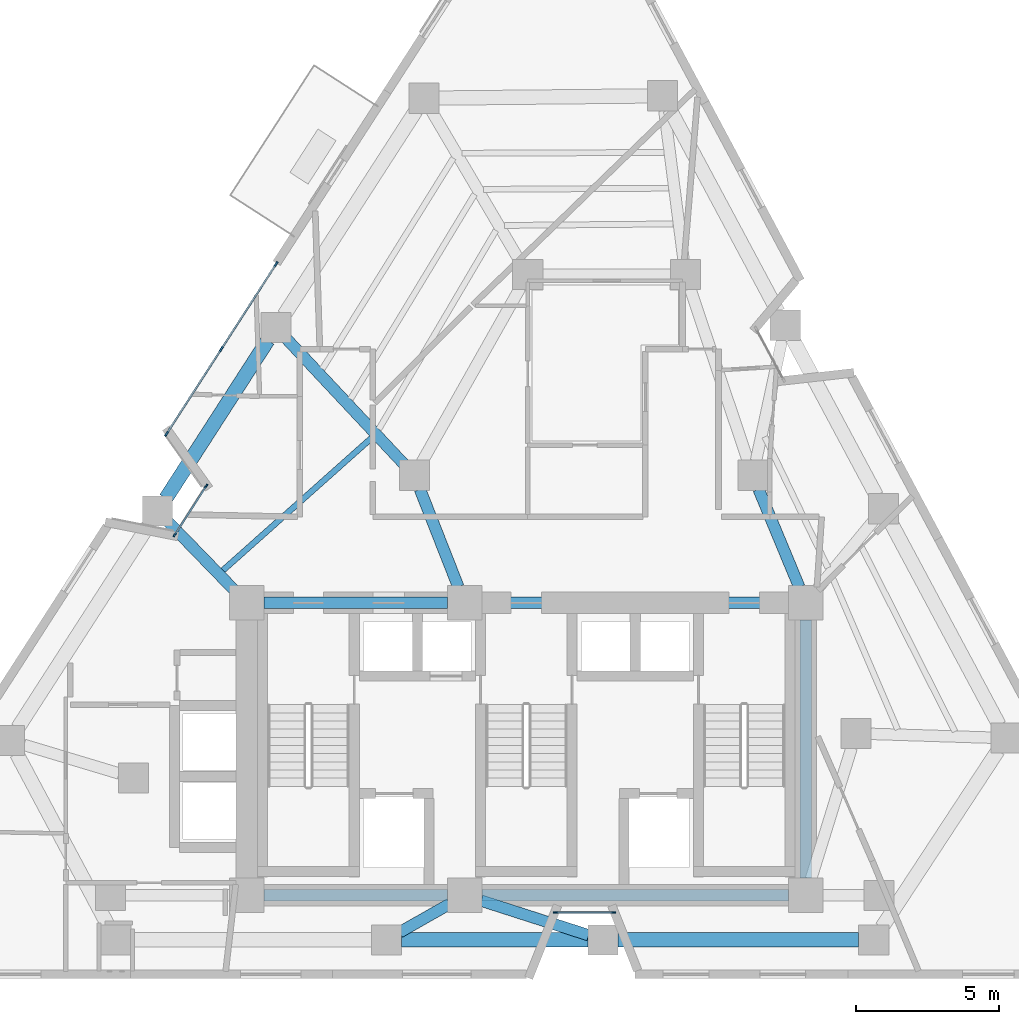
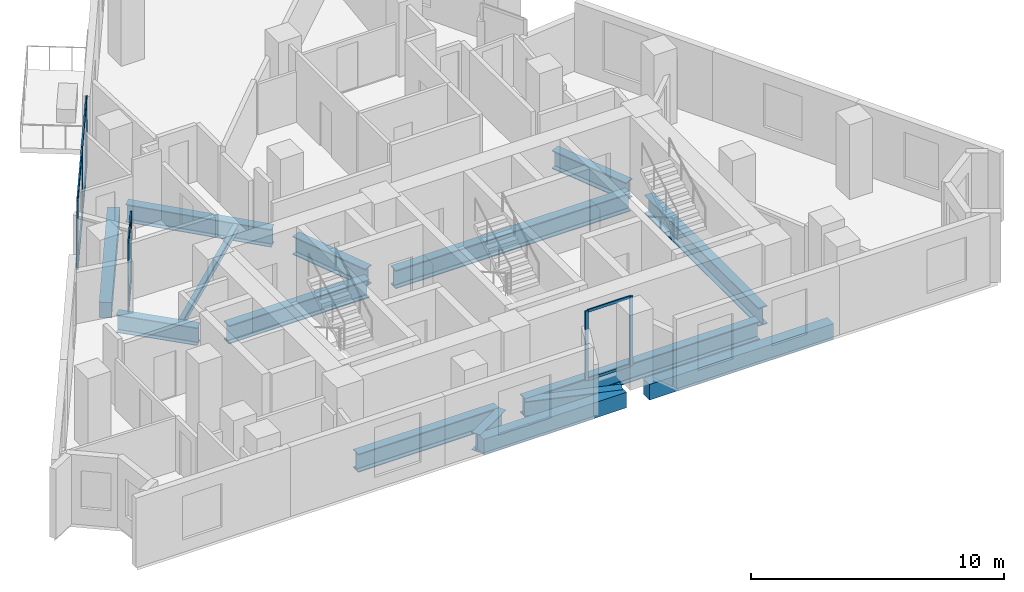
# One storey, part 2 of 10: 15 beams, 15 members, 3 elements without a shape of their own.
"""IFC4 building model written with IfcOpenShell, lengths in metres."""

import ifcopenshell
import ifcopenshell.guid

model = None  # the IFC model being written
_history = None  # IfcOwnerHistory: only IFC2X3 demands one
_inside = {}  # id of a spatial element -> (the spatial element, [elements in it])
_under = {}  # id of a project, library or spatial element -> (it, [spatial elements below it])
_declared = {}  # id of a project -> (the project, [libraries it declares])
_typed = {}  # id of a type object -> (the type object, [elements of that type])
_made_of = {}  # id of a material, layer set ... -> (it, [elements and type objects made of it])


def new_model(schema):
    """Start an empty IFC model of exactly this schema.

    Asked for "IFC4X3", IfcOpenShell would pick the latest addendum, in which some entities
    have other attributes; the version numbers below select the first issue.
    IFC2X3 requires an IfcOwnerHistory on every rooted entity: one is made here for all.
    """
    global model, _history
    if schema == "IFC4X3":
        model = ifcopenshell.file(schema_version=(4, 3, 0, 0))
    else:
        model = ifcopenshell.file(schema=schema)
    _inside.clear()
    _under.clear()
    _declared.clear()
    _typed.clear()
    _made_of.clear()
    _history = None
    if model.schema == "IFC2X3":
        org = make("IfcOrganization", Name="unknown")
        user = make(
            "IfcPersonAndOrganization",
            ThePerson=make("IfcPerson", FamilyName="unknown"),
            TheOrganization=org,
        )
        app = make(
            "IfcApplication",
            ApplicationDeveloper=org,
            Version="unknown",
            ApplicationFullName="unknown",
            ApplicationIdentifier="unknown",
        )
        _history = make(
            "IfcOwnerHistory",
            OwningUser=user,
            OwningApplication=app,
            ChangeAction="ADDED",
            CreationDate=0,
        )
    return model


def make(cls, **values):
    """One entity of the class cls with the attributes given. An attribute that is None is left unset."""
    return model.create_entity(
        cls, **{name: value for name, value in values.items() if value is not None}
    )


def rooted(cls, **values):
    """An entity with a GlobalId (a new one), such as an element, a storey or a relation."""
    return make(cls, GlobalId=ifcopenshell.guid.new(), OwnerHistory=_history, **values)


def si_unit(unit_type, name, prefix=None):
    """IfcSIUnit, for example si_unit("LENGTHUNIT", "METRE", prefix="MILLI")."""
    return make("IfcSIUnit", UnitType=unit_type, Prefix=prefix, Name=name)


def assignment(units):
    """IfcUnitAssignment: the units of a project."""
    return None if units is None else make("IfcUnitAssignment", Units=units)


def point(xyz):
    """IfcCartesianPoint."""
    return None if xyz is None else make("IfcCartesianPoint", Coordinates=xyz)


def direction(xyz):
    """IfcDirection."""
    return None if xyz is None else make("IfcDirection", DirectionRatios=xyz)


def frame(location, z_axis=None, x_axis=None):
    """IfcAxis2Placement3D, a coordinate frame: its origin and axes. An axis left out is left unset."""
    return make(
        "IfcAxis2Placement3D",
        Location=point(location),
        Axis=direction(z_axis),
        RefDirection=direction(x_axis),
    )


def frame_2d(location, x_axis=None):
    """IfcAxis2Placement2D, a coordinate frame in the plane: its origin and x axis."""
    return make(
        "IfcAxis2Placement2D", Location=point(location), RefDirection=direction(x_axis)
    )


def origin():
    """The frame at (0, 0, 0) with its axes left unset."""
    return frame((0.0, 0.0, 0.0))


def origin_2d():
    """The frame at (0, 0) in the plane with its x axis left unset."""
    return frame_2d((0.0, 0.0))


def place(relative_to, where):
    """IfcLocalPlacement: puts the frame where relative to a parent placement (None: the world)."""
    return make(
        "IfcLocalPlacement", PlacementRelTo=relative_to, RelativePlacement=where
    )


def context(
    kind, dimensions, precision=None, world=None, true_north=None, identifier=None
):
    """IfcGeometricRepresentationContext, for example the 3D "Model" context."""
    return make(
        "IfcGeometricRepresentationContext",
        ContextIdentifier=identifier,
        ContextType=kind,
        CoordinateSpaceDimension=dimensions,
        Precision=precision,
        WorldCoordinateSystem=world,
        TrueNorth=true_north,
    )


def subcontext(parent, identifier, kind, view, scale=None):
    """IfcGeometricRepresentationSubContext, for example "Body" below "Model"."""
    return make(
        "IfcGeometricRepresentationSubContext",
        ContextIdentifier=identifier,
        ContextType=kind,
        ParentContext=parent,
        TargetScale=scale,
        TargetView=view,
    )


def project(units=None, contexts=None):
    """IfcProject with its units and contexts."""
    return rooted(
        "IfcProject",
        Name="project",
        RepresentationContexts=contexts,
        UnitsInContext=assignment(units),
    )


def spatial(cls, under=None, at=None, **own):
    """A site, building, storey or space (cls), placed at a placement, below another one or the project."""
    s = rooted(cls, ObjectPlacement=at, **own)
    if under is not None:
        _under.setdefault(under.id(), (under, []))[1].append(s)
    return s


def profile(cls, at=None, kind="AREA", **sizes):
    """A parametric profile (cls). Its sizes go by their IFC names, for example OverallWidth=200.0."""
    return make(cls, ProfileType=kind, Position=at, **sizes)


def rectangle(**sizes):
    """IfcRectangleProfileDef."""
    return profile("IfcRectangleProfileDef", **sizes)


def i_section(**sizes):
    """IfcIShapeProfileDef."""
    return profile("IfcIShapeProfileDef", **sizes)


def extrude(swept, where, along, depth):
    """IfcExtrudedAreaSolid: the profile swept, set in the frame where, extruded along a direction by depth."""
    return make(
        "IfcExtrudedAreaSolid",
        SweptArea=swept,
        Position=where,
        ExtrudedDirection=direction(along),
        Depth=depth,
    )


def shape(context_of_items, identifier, shape_type, items):
    """IfcShapeRepresentation: the items that make up one representation, for example the "Body"."""
    return make(
        "IfcShapeRepresentation",
        ContextOfItems=context_of_items,
        RepresentationIdentifier=identifier,
        RepresentationType=shape_type,
        Items=items,
    )


def material(Name=None, Category=None):
    """IfcMaterial."""
    return make("IfcMaterial", Name=Name, Category=Category)


def layer(
    of_material, thickness, ventilated=None, Name=None, Category=None, Priority=None
):
    """IfcMaterialLayer: one layer of a wall or slab, of a material (None: an air gap)."""
    return make(
        "IfcMaterialLayer",
        Material=of_material,
        LayerThickness=thickness,
        IsVentilated=ventilated,
        Name=Name,
        Category=Category,
        Priority=Priority,
    )


def layer_set(layers, Name=None):
    """IfcMaterialLayerSet."""
    return make("IfcMaterialLayerSet", MaterialLayers=layers, LayerSetName=Name)


def material_profile(
    of_material, cross_section, Name=None, Category=None, Priority=None
):
    """IfcMaterialProfile: a cross section and its material."""
    return make(
        "IfcMaterialProfile",
        Name=Name,
        Material=of_material,
        Profile=cross_section,
        Priority=Priority,
        Category=Category,
    )


def profile_set(profiles, Name=None, composite=None):
    """IfcMaterialProfileSet."""
    return make(
        "IfcMaterialProfileSet",
        Name=Name,
        MaterialProfiles=profiles,
        CompositeProfile=composite,
    )


def made_of(thing, what):
    """Note that an element or type object is made of a material, layer set ...; save() writes the relation."""
    if what is not None:
        _made_of.setdefault(what.id(), (what, []))[1].append(thing)
    return thing


def type_object(cls, material=None, **own):
    """A type object (cls), such as IfcWallType, which elements share."""
    return made_of(rooted(cls, **own), material)


def element(
    cls,
    number,
    at=None,
    inside=None,
    cuts=None,
    type_object=None,
    material=None,
    context=None,
    identifier="Body",
    shape_type=None,
    held_by="IfcProductDefinitionShape",
    body=None,
    shapes=None,
    **own,
):
    """One element of the class cls, such as IfcWall. Its Tag is "e" and its number.

    at: its placement. inside: the storey or other place that contains it. cuts: it is an
    opening in that element (IfcRelVoidsElement). A single representation is given by context,
    identifier, shape_type and body (its items); several are given by shapes. held_by: the class
    of the entity that holds the representations. save() writes the other relations.
    """
    e = rooted(cls, Tag="e%d" % number, ObjectPlacement=at, **own)
    if body is not None:
        shapes = [shape(context, identifier, shape_type, body)]
    if shapes is not None:
        e.Representation = make(held_by, Representations=shapes)
    if inside is not None:
        _inside.setdefault(inside.id(), (inside, []))[1].append(e)
    if cuts is not None:
        rooted(
            "IfcRelVoidsElement", RelatingBuildingElement=cuts, RelatedOpeningElement=e
        )
    if type_object is not None:
        _typed.setdefault(type_object.id(), (type_object, []))[1].append(e)
    return made_of(e, material)


def aggregate(whole, parts):
    """IfcRelAggregates: a whole, such as a stair, and the parts it consists of."""
    return rooted("IfcRelAggregates", RelatingObject=whole, RelatedObjects=parts)


def save(model, path):
    """Write the relations noted so far, then the file.

    IfcRelAggregates (storeys below a building ...), IfcRelContainedInSpatialStructure (elements
    in a storey), IfcRelDefinesByType, IfcRelAssociatesMaterial and IfcRelDeclares: one each for
    every whole, place, type object, material and project.
    """
    for whole, parts in _under.values():
        aggregate(whole, parts)
    for where, things in _inside.values():
        rooted(
            "IfcRelContainedInSpatialStructure",
            RelatedElements=things,
            RelatingStructure=where,
        )
    for kind, things in _typed.values():
        rooted("IfcRelDefinesByType", RelatedObjects=things, RelatingType=kind)
    for what, things in _made_of.values():
        rooted("IfcRelAssociatesMaterial", RelatedObjects=things, RelatingMaterial=what)
    for by, libraries in _declared.values():
        rooted("IfcRelDeclares", RelatingContext=by, RelatedDefinitions=libraries)
    model.write(path)


model = new_model("IFC4")

# Units and contexts
model_context = context("Model", 3, precision=1e-05, world=origin(), true_north=direction((0.0, 1.0)))
body_context = subcontext(model_context, "Body", "Model", "MODEL_VIEW")
ifc_project = project(units=[si_unit("LENGTHUNIT", "METRE"), si_unit("AREAUNIT", "SQUARE_METRE"), si_unit("VOLUMEUNIT", "CUBIC_METRE"), si_unit("PLANEANGLEUNIT", "RADIAN"), si_unit("MASSUNIT", "GRAM", prefix="KILO")], contexts=[model_context])

# Site, building, storey
site_placement = place(None, origin())
site = spatial("IfcSite", under=ifc_project, at=site_placement, CompositionType="ELEMENT")
building_placement = place(site_placement, origin())
building = spatial("IfcBuilding", under=site, at=building_placement, Name="Almagre Mirador Tower", CompositionType="ELEMENT")
storey_placement = place(building_placement, frame((0.0, 0.0, 186.0)))
storey = spatial("IfcBuildingStorey", under=building, at=storey_placement, Name="L48", CompositionType="ELEMENT", Elevation=186.0)

# Beams
ifc_material_1 = material(Name="Steel ASTM A992 Grade 50", Category="steel")
ifc_material_profile_1 = material_profile(ifc_material_1, i_section(OverallWidth=0.205078125, OverallDepth=0.31005859375, WebThickness=0.009521484375, FlangeThickness=0.016357421875, FilletRadius=0.013916015625, at=origin_2d()), Name="W12X50")
ifc_profile_set_1 = profile_set([ifc_material_profile_1], Name="Steel ASTM A992 Grade 50")
beam_type_1 = type_object("IfcBeamType", Name="BM-JST-W12X50", PredefinedType="JOIST", material=ifc_profile_set_1)
beam_1_placement = place(storey_placement, frame((31.905517578125, 20.50244140625, -0.405029296875), z_axis=(-0.746774214906, -0.665077643551, 0.0), x_axis=(0.665077643551, -0.746774214906, 0.0)))
element("IfcBeam", 1, at=beam_1_placement, inside=storey, type_object=beam_type_1, Name="L48 secondary floor joist PC10-PC11.3", PredefinedType="JOIST", context=body_context, shape_type="SweptSolid", body=[
    extrude(i_section(OverallWidth=0.205078125, OverallDepth=0.31005859375, WebThickness=0.009521484375, FlangeThickness=0.016357421875, FilletRadius=0.013916015625, at=origin_2d()), origin(), (0.0, 0.0, 1.0), 6.93896484375),
])
ifc_material_2 = material(Name="Precast concrete C50/60", Category="concrete")
ifc_material_profile_2 = material_profile(ifc_material_2, rectangle(XDim=0.5, YDim=0.75, at=origin_2d()), Name="RC500X750")
ifc_profile_set_2 = profile_set([ifc_material_profile_2], Name="Precast concrete C50/60")
beam_type_2 = type_object("IfcBeamType", Name="BM-SPN-RC500X750", PredefinedType="SPANDREL", material=ifc_profile_set_2)
beam_2_placement = place(storey_placement, frame((32.948974609375, 3.0, -0.625), z_axis=(1.0, 0.0, 0.0), x_axis=(0.0, 1.0, 0.0)))
element("IfcBeam", 2, at=beam_2_placement, inside=storey, type_object=beam_type_2, Name="L48 perimeter spandrel beam PC02-PC03", PredefinedType="SPANDREL", context=body_context, shape_type="SweptSolid", body=[
    extrude(rectangle(XDim=0.5, YDim=0.75, at=origin_2d()), origin(), (0.0, 0.0, 1.0), 6.501953125),
])
beam_3_placement = place(storey_placement, frame((40.5009765625, 3.0, -0.625), z_axis=(1.0, 0.0, 0.0), x_axis=(0.0, 1.0, 0.0)))
element("IfcBeam", 3, at=beam_3_placement, inside=storey, type_object=beam_type_2, Name="L48 perimeter spandrel beam PC03-PC04", PredefinedType="SPANDREL", context=body_context, shape_type="SweptSolid", body=[
    extrude(rectangle(XDim=0.5, YDim=0.75, at=origin_2d()), origin(), (0.0, 0.0, 1.0), 8.39013671875),
])
beam_4_placement = place(storey_placement, frame((28.287353515625, 23.90869140625, -0.625), z_axis=(-0.542031160538, -0.840358388431, 0.0), x_axis=(0.840358388431, -0.542031160538, 0.0)))
element("IfcBeam", 4, at=beam_4_placement, inside=storey, type_object=beam_type_2, Name="L48 perimeter spandrel beam PC10-PC11", PredefinedType="SPANDREL", context=body_context, shape_type="SweptSolid", body=[
    extrude(rectangle(XDim=0.5, YDim=0.75, at=origin_2d()), origin(), (0.0, 0.0, 1.0), 6.565673828125),
])
ifc_material_3 = material(Name="Steel ASTM A992 Grade 50", Category="steel")
ifc_material_profile_3 = material_profile(ifc_material_3, i_section(OverallWidth=0.39892578125, OverallDepth=0.85595703125, WebThickness=0.018310546875, FlangeThickness=0.029296875, FilletRadius=0.02490234375, at=origin_2d()), Name="W33X201")
ifc_profile_set_3 = profile_set([ifc_material_profile_3], Name="Steel ASTM A992 Grade 50")
beam_type_3 = type_object("IfcBeamType", Name="BM-STL-W33X201", PredefinedType="BEAM", material=ifc_profile_set_3)
beam_5_placement = place(storey_placement, frame((32.88037109375, 3.259521484375, -0.677978515625), z_axis=(0.869309554044, 0.494268043927, 0.0), x_axis=(-0.494268043927, 0.869309554044, 0.0)))
element("IfcBeam", 5, at=beam_5_placement, inside=storey, type_object=beam_type_3, Name="L48 radial floor girder PC02-CC2", PredefinedType="BEAM", context=body_context, shape_type="SweptSolid", body=[
    extrude(i_section(OverallWidth=0.39892578125, OverallDepth=0.85595703125, WebThickness=0.018310546875, FlangeThickness=0.029296875, FilletRadius=0.02490234375, at=origin_2d()), origin(), (0.0, 0.0, 1.0), 2.0107421875),
])
beam_6_placement = place(storey_placement, frame((39.47607421875, 3.160400390625, -0.677978515625), z_axis=(-0.952092949621, 0.30580878876, 0.0), x_axis=(-0.30580878876, -0.952092949621, 0.0)))
element("IfcBeam", 6, at=beam_6_placement, inside=storey, type_object=beam_type_3, Name="L48 radial floor girder PC03-CC2", PredefinedType="BEAM", context=body_context, shape_type="SweptSolid", body=[
    extrude(i_section(OverallWidth=0.39892578125, OverallDepth=0.85595703125, WebThickness=0.018310546875, FlangeThickness=0.029296875, FilletRadius=0.02490234375, at=origin_2d()), origin(), (0.0, 0.0, 1.0), 3.94384765625),
])
beam_7_placement = place(storey_placement, frame((28.93115234375, 23.967041015625, -0.677978515625), z_axis=(0.683926262896, -0.729551140717, 0.0), x_axis=(0.729551140717, 0.683926262896, 0.0)))
element("IfcBeam", 7, at=beam_7_placement, inside=storey, type_object=beam_type_3, Name="L48 radial floor girder PC10-MC8", PredefinedType="BEAM", context=body_context, shape_type="SweptSolid", body=[
    extrude(i_section(OverallWidth=0.39892578125, OverallDepth=0.85595703125, WebThickness=0.018310546875, FlangeThickness=0.029296875, FilletRadius=0.02490234375, at=origin_2d()), origin(), (0.0, 0.0, 1.0), 6.00927734375),
])
beam_8_placement = place(storey_placement, frame((24.809814453125, 17.5732421875, -0.677978515625), z_axis=(0.69644765499, -0.717607597409, 0.0), x_axis=(0.717607597409, 0.69644765499, 0.0)))
element("IfcBeam", 8, at=beam_8_placement, inside=storey, type_object=beam_type_3, Name="L48 radial floor girder PC11-CC4", PredefinedType="BEAM", context=body_context, shape_type="SweptSolid", body=[
    extrude(i_section(OverallWidth=0.39892578125, OverallDepth=0.85595703125, WebThickness=0.018310546875, FlangeThickness=0.029296875, FilletRadius=0.02490234375, at=origin_2d()), origin(), (0.0, 0.0, 1.0), 3.33447265625),
])
ifc_material_4 = material(Name="Steel ASTM A992 Grade 50", Category="steel")
ifc_material_profile_4 = material_profile(ifc_material_4, i_section(OverallWidth=0.404052734375, OverallDepth=0.884033203125, WebThickness=0.0244140625, FlangeThickness=0.0439453125, FilletRadius=0.02490234375, at=origin_2d()), Name="W33X291")
ifc_profile_set_4 = profile_set([ifc_material_profile_4], Name="Steel ASTM A992 Grade 50")
beam_type_4 = type_object("IfcBeamType", Name="BM-STL-W33X291", PredefinedType="BEAM", material=ifc_profile_set_4)
beam_9_placement = place(storey_placement, frame((28.14990234375, 4.550048828125, -0.69189453125), z_axis=(1.0, 0.0, 0.0), x_axis=(0.0, 1.0, 0.0)))
element("IfcBeam", 9, at=beam_9_placement, inside=storey, type_object=beam_type_4, Name="L48 core tie girder CC1-CC2", PredefinedType="BEAM", context=body_context, shape_type="SweptSolid", body=[
    extrude(i_section(OverallWidth=0.404052734375, OverallDepth=0.884033203125, WebThickness=0.0244140625, FlangeThickness=0.0439453125, FilletRadius=0.02490234375, at=origin_2d()), origin(), (0.0, 0.0, 1.0), 6.400146484375),
])
beam_10_placement = place(storey_placement, frame((35.75, 4.550048828125, -0.69189453125), z_axis=(1.0, 0.0, 0.0), x_axis=(0.0, 1.0, 0.0)))
element("IfcBeam", 10, at=beam_10_placement, inside=storey, type_object=beam_type_4, Name="L48 core tie girder CC2-CC3", PredefinedType="BEAM", context=body_context, shape_type="SweptSolid", body=[
    extrude(i_section(OverallWidth=0.404052734375, OverallDepth=0.884033203125, WebThickness=0.0244140625, FlangeThickness=0.0439453125, FilletRadius=0.02490234375, at=origin_2d()), origin(), (0.0, 0.0, 1.0), 10.699951171875),
])
beam_11_placement = place(storey_placement, frame((28.14990234375, 14.75, -0.69189453125), z_axis=(1.0, 0.0, 0.0), x_axis=(0.0, 1.0, 0.0)))
element("IfcBeam", 11, at=beam_11_placement, inside=storey, type_object=beam_type_4, Name="L48 core tie girder CC4-CC5", PredefinedType="BEAM", context=body_context, shape_type="SweptSolid", body=[
    extrude(i_section(OverallWidth=0.404052734375, OverallDepth=0.884033203125, WebThickness=0.0244140625, FlangeThickness=0.0439453125, FilletRadius=0.02490234375, at=origin_2d()), origin(), (0.0, 0.0, 1.0), 6.400146484375),
])
beam_12_placement = place(storey_placement, frame((35.75, 14.75, -0.69189453125), z_axis=(1.0, 0.0, 0.0), x_axis=(0.0, 1.0, 0.0)))
element("IfcBeam", 12, at=beam_12_placement, inside=storey, type_object=beam_type_4, Name="L48 core tie girder CC5-CC6", PredefinedType="BEAM", context=body_context, shape_type="SweptSolid", body=[
    extrude(i_section(OverallWidth=0.404052734375, OverallDepth=0.884033203125, WebThickness=0.0244140625, FlangeThickness=0.0439453125, FilletRadius=0.02490234375, at=origin_2d()), origin(), (0.0, 0.0, 1.0), 10.699951171875),
])
beam_13_placement = place(storey_placement, frame((47.050048828125, 5.14990234375, -0.69189453125), z_axis=(0.0, 1.0, 0.0), x_axis=(-1.0, 0.0, 0.0)))
element("IfcBeam", 13, at=beam_13_placement, inside=storey, type_object=beam_type_4, Name="L48 core tie girder CC3-CC6", PredefinedType="BEAM", context=body_context, shape_type="SweptSolid", body=[
    extrude(i_section(OverallWidth=0.404052734375, OverallDepth=0.884033203125, WebThickness=0.0244140625, FlangeThickness=0.0439453125, FilletRadius=0.02490234375, at=origin_2d()), origin(), (0.0, 0.0, 1.0), 9.0),
])
beam_14_placement = place(storey_placement, frame((45.401611328125, 18.715087890625, -0.69189453125), z_axis=(0.383845645019, -0.923397271384, 0.0), x_axis=(0.923397271384, 0.383845645019, 0.0)))
element("IfcBeam", 14, at=beam_14_placement, inside=storey, type_object=beam_type_4, Name="L48 core tie girder MC5-CC6", PredefinedType="BEAM", context=body_context, shape_type="SweptSolid", body=[
    extrude(i_section(OverallWidth=0.404052734375, OverallDepth=0.884033203125, WebThickness=0.0244140625, FlangeThickness=0.0439453125, FilletRadius=0.02490234375, at=origin_2d()), origin(), (0.0, 0.0, 1.0), 3.694091796875),
])
beam_15_placement = place(storey_placement, frame((33.592041015625, 18.71142578125, -0.69189453125), z_axis=(0.365997304164, -0.930615910752, 0.0), x_axis=(0.930615910752, 0.365997304164, 0.0)))
element("IfcBeam", 15, at=beam_15_placement, inside=storey, type_object=beam_type_4, Name="L48 core tie girder MC8-CC5", PredefinedType="BEAM", context=body_context, shape_type="SweptSolid", body=[
    extrude(i_section(OverallWidth=0.404052734375, OverallDepth=0.884033203125, WebThickness=0.0244140625, FlangeThickness=0.0439453125, FilletRadius=0.02490234375, at=origin_2d()), origin(), (0.0, 0.0, 1.0), 3.65673828125),
])

# Curtain wall, members
ifc_material_5 = material(Name="Black anodized aluminium", Category="aluminium")
ifc_layer_1 = layer(ifc_material_5, 0.169921875)
ifc_layer_set_1 = layer_set([ifc_layer_1], Name="Black anodized aluminium")
curtain_wall_type_1 = type_object("IfcCurtainWallType", Name="CW-CRS-SYS", PredefinedType="NOTDEFINED", material=ifc_layer_set_1)
curtain_wall_1_placement = place(storey_placement, origin())
curtain_wall_1 = element("IfcCurtainWall", 16, at=curtain_wall_1_placement, inside=storey, type_object=curtain_wall_type_1, Name="L48 vertical crease curtain wall 01", PredefinedType="NOTDEFINED")
ifc_material_6 = material(Name="Black anodized aluminium", Category="aluminium")
ifc_material_profile_5 = material_profile(ifc_material_6, rectangle(XDim=0.06005859375, YDim=0.14990234375, at=origin_2d()), Name="CWM60X150")
ifc_profile_set_5 = profile_set([ifc_material_profile_5], Name="Black anodized aluminium")
member_type_1 = type_object("IfcMemberType", Name="MBR-CWM60X150", PredefinedType="MULLION", material=ifc_profile_set_5)
member_1_placement = place(storey_placement, frame((25.039306640625, 17.119140625, 0.0), z_axis=(0.0, 0.0, 1.0), x_axis=(-0.840416121066, 0.541941642109, 0.0)))
member_1 = element("IfcMember", 17, at=member_1_placement, type_object=member_type_1, Name="CW-4 mullion 1", PredefinedType="MULLION", context=body_context, shape_type="SweptSolid", body=[
    extrude(rectangle(XDim=0.06005859375, YDim=0.14990234375, at=origin_2d()), origin(), (0.0, 0.0, 1.0), 3.35009765625),
])
member_2_placement = place(storey_placement, frame((26.1396484375, 18.82568359375, 0.0), z_axis=(0.0, 0.0, 1.0), x_axis=(-0.840416121066, 0.541941642109, 0.0)))
member_2 = element("IfcMember", 18, at=member_2_placement, type_object=member_type_1, Name="CW-4 mullion 2", PredefinedType="MULLION", context=body_context, shape_type="SweptSolid", body=[
    extrude(rectangle(XDim=0.06005859375, YDim=0.14990234375, at=origin_2d()), origin(), (0.0, 0.0, 1.0), 3.35009765625),
])

curtain_wall_2_placement = place(storey_placement, origin())
curtain_wall_2 = element("IfcCurtainWall", 19, at=curtain_wall_2_placement, inside=storey, type_object=curtain_wall_type_1, Name="L48 vertical crease curtain wall 04", PredefinedType="NOTDEFINED")
member_3_placement = place(storey_placement, frame((40.35107421875, 3.949951171875, 0.0), z_axis=(0.0, 0.0, 1.0), x_axis=(0.0, -1.0, 0.0)))
member_3 = element("IfcMember", 20, at=member_3_placement, type_object=member_type_1, Name="CW-4 mullion 1", PredefinedType="MULLION", context=body_context, shape_type="SweptSolid", body=[
    extrude(rectangle(XDim=0.06005859375, YDim=0.14990234375, at=origin_2d()), origin(), (0.0, 0.0, 1.0), 3.35009765625),
])
member_4_placement = place(storey_placement, frame((38.321044921875, 3.949951171875, 0.0), z_axis=(0.0, 0.0, 1.0), x_axis=(0.0, -1.0, 0.0)))
member_4 = element("IfcMember", 21, at=member_4_placement, type_object=member_type_1, Name="CW-4 mullion 2", PredefinedType="MULLION", context=body_context, shape_type="SweptSolid", body=[
    extrude(rectangle(XDim=0.06005859375, YDim=0.14990234375, at=origin_2d()), origin(), (0.0, 0.0, 1.0), 3.35009765625),
])

ifc_material_7 = material(Name="Black anodized aluminium", Category="aluminium")
ifc_layer_2 = layer(ifc_material_7, 0.199951171875)
ifc_layer_set_2 = layer_set([ifc_layer_2], Name="Black anodized aluminium")
curtain_wall_type_2 = type_object("IfcCurtainWallType", Name="CW-RES-H-SYS", PredefinedType="NOTDEFINED", material=ifc_layer_set_2)
curtain_wall_3_placement = place(storey_placement, origin())
curtain_wall_3 = element("IfcCurtainWall", 22, at=curtain_wall_3_placement, inside=storey, type_object=curtain_wall_type_2, Name="L48 curtain wall run 02", PredefinedType="NOTDEFINED")
ifc_material_8 = material(Name="Black anodized aluminium", Category="aluminium")
ifc_material_profile_6 = material_profile(ifc_material_8, rectangle(XDim=0.06494140625, YDim=0.179931640625, at=origin_2d()), Name="CWM65X180")
ifc_profile_set_6 = profile_set([ifc_material_profile_6], Name="Black anodized aluminium")
member_type_2 = type_object("IfcMemberType", Name="MBR-CWM65X180", PredefinedType="MULLION", material=ifc_profile_set_6)
member_5_placement = place(storey_placement, frame((24.754638671875, 20.64453125, 0.0), z_axis=(0.0, 0.0, 1.0), x_axis=(-0.840362933334, 0.542024114112, 0.0)))
member_5 = element("IfcMember", 23, at=member_5_placement, type_object=member_type_2, Name="CW-3 mullion 1", PredefinedType="MULLION", context=body_context, shape_type="SweptSolid", body=[
    extrude(rectangle(XDim=0.06494140625, YDim=0.179931640625, at=origin_2d()), origin(), (0.0, 0.0, 1.0), 3.35009765625),
])
member_6_placement = place(storey_placement, frame((26.66552734375, 23.607177734375, 0.0), z_axis=(0.0, 0.0, 1.0), x_axis=(-0.840362933334, 0.542024114112, 0.0)))
member_6 = element("IfcMember", 24, at=member_6_placement, type_object=member_type_2, Name="CW-3 mullion 2", PredefinedType="MULLION", context=body_context, shape_type="SweptSolid", body=[
    extrude(rectangle(XDim=0.06494140625, YDim=0.179931640625, at=origin_2d()), origin(), (0.0, 0.0, 1.0), 3.35009765625),
])
member_7_placement = place(storey_placement, frame((28.576416015625, 26.56982421875, 0.0), z_axis=(0.0, 0.0, 1.0), x_axis=(-0.840362933334, 0.542024114112, 0.0)))
member_7 = element("IfcMember", 25, at=member_7_placement, type_object=member_type_2, Name="CW-3 mullion 3", PredefinedType="MULLION", context=body_context, shape_type="SweptSolid", body=[
    extrude(rectangle(XDim=0.06494140625, YDim=0.179931640625, at=origin_2d()), origin(), (0.0, 0.0, 1.0), 3.35009765625),
])

# Member
ifc_material_9 = material(Name="Black anodized aluminium", Category="aluminium")
ifc_material_profile_7 = material_profile(ifc_material_9, rectangle(XDim=0.06005859375, YDim=0.1298828125, at=origin_2d()), Name="CWT60X130")
ifc_profile_set_7 = profile_set([ifc_material_profile_7], Name="Black anodized aluminium")
member_type_3 = type_object("IfcMemberType", Name="MBR-CWT60X130", PredefinedType="USERDEFINED", material=ifc_profile_set_7)
member_8_placement = place(storey_placement, frame((25.055419921875, 17.14453125, 0.030029296875), z_axis=(0.542028098283, 0.840360363577, 0.0), x_axis=(-0.840360363577, 0.542028098283, 0.0)))
member_8 = element("IfcMember", 26, at=member_8_placement, type_object=member_type_3, Name="CW-4 transom 1.1", ObjectType="TRANSOM", PredefinedType="USERDEFINED", context=body_context, shape_type="SweptSolid", body=[
    extrude(rectangle(XDim=0.06005859375, YDim=0.1298828125, at=origin_2d()), origin(), (0.0, 0.0, 1.0), 1.970703125),
])

member_9_placement = place(storey_placement, frame((25.055419921875, 17.14453125, 3.320068359375), z_axis=(0.542028098283, 0.840360363577, 0.0), x_axis=(-0.840360363577, 0.542028098283, 0.0)))
member_9 = element("IfcMember", 27, at=member_9_placement, type_object=member_type_3, Name="CW-4 transom 1.2", ObjectType="TRANSOM", PredefinedType="USERDEFINED", context=body_context, shape_type="SweptSolid", body=[
    extrude(rectangle(XDim=0.06005859375, YDim=0.1298828125, at=origin_2d()), origin(), (0.0, 0.0, 1.0), 1.970703125),
])

aggregate(curtain_wall_1, [member_1, member_2, member_8, member_9])

member_10_placement = place(storey_placement, frame((40.321044921875, 3.949951171875, 0.030029296875), z_axis=(-1.0, 0.0, 0.0), x_axis=(0.0, -1.0, 0.0)))
member_10 = element("IfcMember", 28, at=member_10_placement, type_object=member_type_3, Name="CW-4 transom 1.1", ObjectType="TRANSOM", PredefinedType="USERDEFINED", context=body_context, shape_type="SweptSolid", body=[
    extrude(rectangle(XDim=0.06005859375, YDim=0.1298828125, at=origin_2d()), origin(), (0.0, 0.0, 1.0), 1.969970703125),
])

member_11_placement = place(storey_placement, frame((40.321044921875, 3.949951171875, 3.320068359375), z_axis=(-1.0, 0.0, 0.0), x_axis=(0.0, -1.0, 0.0)))
member_11 = element("IfcMember", 29, at=member_11_placement, type_object=member_type_3, Name="CW-4 transom 1.2", ObjectType="TRANSOM", PredefinedType="USERDEFINED", context=body_context, shape_type="SweptSolid", body=[
    extrude(rectangle(XDim=0.06005859375, YDim=0.1298828125, at=origin_2d()), origin(), (0.0, 0.0, 1.0), 1.969970703125),
])

aggregate(curtain_wall_2, [member_3, member_4, member_10, member_11])

ifc_material_10 = material(Name="Black anodized aluminium", Category="aluminium")
ifc_material_profile_8 = material_profile(ifc_material_10, rectangle(XDim=0.06494140625, YDim=0.14990234375, at=origin_2d()), Name="CWT65X150")
ifc_profile_set_8 = profile_set([ifc_material_profile_8], Name="Black anodized aluminium")
member_type_4 = type_object("IfcMemberType", Name="MBR-CWT65X150", PredefinedType="USERDEFINED", material=ifc_profile_set_8)
member_12_placement = place(storey_placement, frame((24.772216796875, 20.671875, 0.032470703125), z_axis=(0.542051339105, 0.840345372912, 0.0), x_axis=(-0.840345372912, 0.542051339105, 0.0)))
member_12 = element("IfcMember", 30, at=member_12_placement, type_object=member_type_4, Name="CW-3 transom 1.1", ObjectType="TRANSOM", PredefinedType="USERDEFINED", context=body_context, shape_type="SweptSolid", body=[
    extrude(rectangle(XDim=0.06494140625, YDim=0.14990234375, at=origin_2d()), origin(), (0.0, 0.0, 1.0), 3.46044921875),
])

member_13_placement = place(storey_placement, frame((24.772216796875, 20.671875, 3.3173828125), z_axis=(0.542051339105, 0.840345372912, 0.0), x_axis=(-0.840345372912, 0.542051339105, 0.0)))
member_13 = element("IfcMember", 31, at=member_13_placement, type_object=member_type_4, Name="CW-3 transom 1.2", ObjectType="TRANSOM", PredefinedType="USERDEFINED", context=body_context, shape_type="SweptSolid", body=[
    extrude(rectangle(XDim=0.06494140625, YDim=0.14990234375, at=origin_2d()), origin(), (0.0, 0.0, 1.0), 3.46044921875),
])

member_14_placement = place(storey_placement, frame((26.68310546875, 23.634521484375, 0.032470703125), z_axis=(0.542051339105, 0.840345372912, 0.0), x_axis=(-0.840345372912, 0.542051339105, 0.0)))
member_14 = element("IfcMember", 32, at=member_14_placement, type_object=member_type_4, Name="CW-3 transom 2.1", ObjectType="TRANSOM", PredefinedType="USERDEFINED", context=body_context, shape_type="SweptSolid", body=[
    extrude(rectangle(XDim=0.06494140625, YDim=0.14990234375, at=origin_2d()), origin(), (0.0, 0.0, 1.0), 3.46044921875),
])

member_15_placement = place(storey_placement, frame((26.68310546875, 23.634521484375, 3.3173828125), z_axis=(0.542051339105, 0.840345372912, 0.0), x_axis=(-0.840345372912, 0.542051339105, 0.0)))
member_15 = element("IfcMember", 33, at=member_15_placement, type_object=member_type_4, Name="CW-3 transom 2.2", ObjectType="TRANSOM", PredefinedType="USERDEFINED", context=body_context, shape_type="SweptSolid", body=[
    extrude(rectangle(XDim=0.06494140625, YDim=0.14990234375, at=origin_2d()), origin(), (0.0, 0.0, 1.0), 3.46044921875),
])

aggregate(curtain_wall_3, [member_5, member_6, member_7, member_12, member_13, member_14, member_15])

save(model, "model.ifc")
